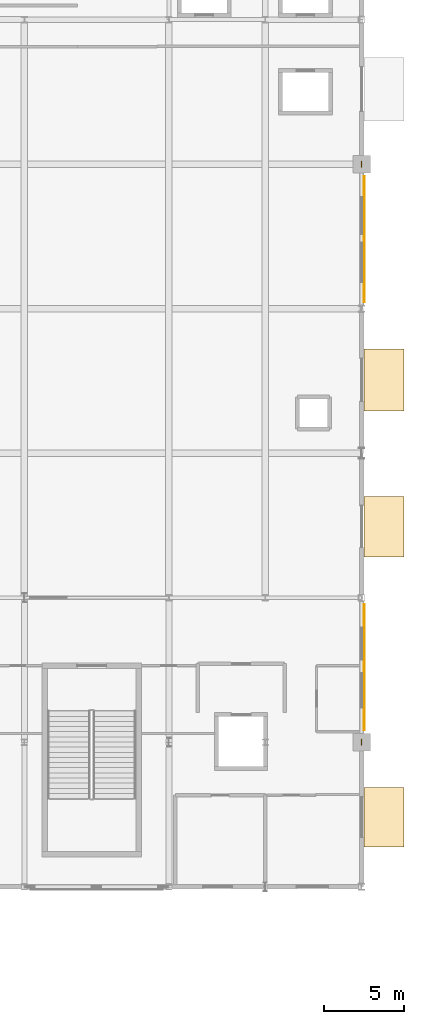
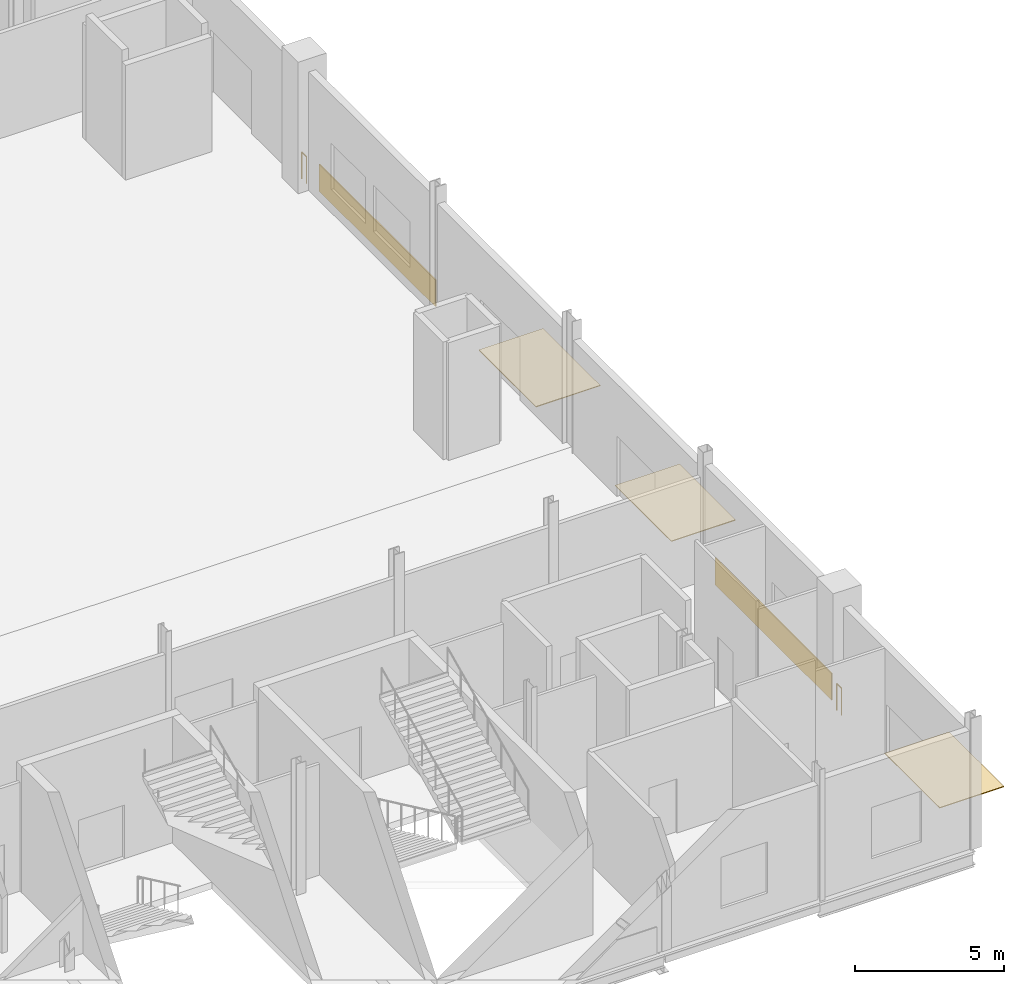
# One storey, part 87 of 94: 5 coverings, 2 railings.
"""IFC4 building model written with IfcOpenShell, lengths in metres."""

from ifc_helpers import new_model, si_unit, direction, frame, origin, origin_2d, place, context, subcontext, project, spatial, rectangle, circle, extrude, material, layer, layer_set, type_object, element, save


model = new_model("IFC4")

# Units and contexts
model_context = context("Model", 3, precision=1e-05, world=origin(), true_north=direction((0.0, 1.0)))
body_context = subcontext(model_context, "Body", "Model", "MODEL_VIEW")
ifc_project = project(units=[si_unit("LENGTHUNIT", "METRE"), si_unit("AREAUNIT", "SQUARE_METRE"), si_unit("VOLUMEUNIT", "CUBIC_METRE"), si_unit("PLANEANGLEUNIT", "RADIAN"), si_unit("MASSUNIT", "GRAM", prefix="KILO")], contexts=[model_context])

# Site, building, storey
site_placement = place(None, origin())
site = spatial("IfcSite", under=ifc_project, at=site_placement, CompositionType="ELEMENT")
building_placement = place(site_placement, origin())
building = spatial("IfcBuilding", under=site, at=building_placement, Name="Qamarlyn Nura Convention Centre", CompositionType="ELEMENT")
storey_placement = place(building_placement, origin())
storey = spatial("IfcBuildingStorey", under=building, at=storey_placement, Name="L00", CompositionType="ELEMENT", Elevation=0.0)

# Coverings
ifc_material_1 = material(Name="Polished coastal aggregate terrazzo")
ifc_layer_1 = layer(ifc_material_1, 0.030029296875, Name="COV-FLOOR-TERR")
ifc_layer_set_1 = layer_set([ifc_layer_1], Name="Polished coastal aggregate terrazzo")
covering_type_1 = type_object("IfcCoveringType", Name="COV-FLOOR-TERR", PredefinedType="FLOORING", material=ifc_layer_set_1)
covering_1_placement = place(storey_placement, frame((193.389892578125, 4.331298828125, -0.02978515625), z_axis=(0.0, 0.0, 1.0), x_axis=(0.0, -1.0, 0.0)))
element("IfcCovering", 1, at=covering_1_placement, inside=storey, type_object=covering_type_1, Name="Exterior exit threshold apron E-35", PredefinedType="FLOORING", context=body_context, shape_type="SweptSolid", body=[
    extrude(rectangle(XDim=3.699951171875, YDim=2.5, at=origin_2d()), origin(), (0.0, 0.0, 1.0), 0.030029296875),
])
covering_2_placement = place(storey_placement, frame((193.389892578125, 22.42626953125, -0.02978515625), z_axis=(0.0, 0.0, 1.0), x_axis=(0.0, -1.0, 0.0)))
element("IfcCovering", 2, at=covering_2_placement, inside=storey, type_object=covering_type_1, Name="Exterior exit threshold apron E-36", PredefinedType="FLOORING", context=body_context, shape_type="SweptSolid", body=[
    extrude(rectangle(XDim=3.780029296875, YDim=2.5, at=origin_2d()), origin(), (0.0, 0.0, 1.0), 0.030029296875),
])
covering_3_placement = place(storey_placement, frame((193.389892578125, 31.5673828125, -0.02978515625), z_axis=(0.0, 0.0, 1.0), x_axis=(0.0, -1.0, 0.0)))
element("IfcCovering", 3, at=covering_3_placement, inside=storey, type_object=covering_type_1, Name="Exterior exit threshold apron E-37", PredefinedType="FLOORING", context=body_context, shape_type="SweptSolid", body=[
    extrude(rectangle(XDim=3.85009765625, YDim=2.5, at=origin_2d()), origin(), (0.0, 0.0, 1.0), 0.030029296875),
])
ifc_material_2 = material(Name="UAE coastal limestone stone cladding", Category="masonry")
ifc_layer_2 = layer(ifc_material_2, 0.044921875, Name="COV-PLINTH-LIME")
ifc_layer_set_2 = layer_set([ifc_layer_2], Name="UAE coastal limestone stone cladding")
covering_type_2 = type_object("IfcCoveringType", Name="COV-PLINTH-LIME", PredefinedType="CLADDING", material=ifc_layer_set_2)
covering_4_placement = place(storey_placement, frame((192.158447265625, 13.675048828125, 0.0), z_axis=(0.0, 0.0, 1.0), x_axis=(0.0, -1.0, 0.0)))
element("IfcCovering", 4, at=covering_4_placement, inside=storey, type_object=covering_type_2, Name="L00 UAE coastal limestone stone plinth cladding WEXT-L00-1920-178-1920-96", PredefinedType="CLADDING", context=body_context, shape_type="SweptSolid", body=[
    extrude(rectangle(XDim=7.85009765625, YDim=0.044921875, at=origin_2d()), origin(), (0.0, 0.0, 1.0), 1.10009765625),
])
covering_5_placement = place(storey_placement, frame((192.158447265625, 40.331298828125, 0.0), z_axis=(0.0, 0.0, 1.0), x_axis=(0.0, -1.0, 0.0)))
element("IfcCovering", 5, at=covering_5_placement, inside=storey, type_object=covering_type_2, Name="L00 UAE coastal limestone stone plinth cladding WEXT-L00-1920-444-1920-362", PredefinedType="CLADDING", context=body_context, shape_type="SweptSolid", body=[
    extrude(rectangle(XDim=7.83740234375, YDim=0.044921875, at=origin_2d()), origin(), (0.0, 0.0, 1.0), 1.10009765625),
])

# Railings
ifc_material_3 = material(Name="Marine Grade 316 stainless steel", Category="steel")
railing_type = type_object("IfcRailingType", Name="GRD-VOID-112", PredefinedType="BALUSTRADE", material=ifc_material_3)
for number, where, name in (
    (6, (192.0, 45.159912109375, 0.0), "L00 slab edge balustrade guard 033"),
    (7, (192.0, 9.159912109375, 0.0), "L00 slab edge balustrade guard 034"),
):
    element("IfcRailing", number, at=place(storey_placement, frame(where)), inside=storey, type_object=railing_type, Name=name, PredefinedType="BALUSTRADE", context=body_context, shape_type="SweptSolid", body=[
        extrude(circle(Radius=0.02392578125, at=origin_2d()), frame((0.0, 0.0, 1.09619140625), z_axis=(0.0, -1.0, 0.0), x_axis=(1.0, 0.0, 0.0)), (0.0, 0.0, 1.0), 0.31982421875),
        extrude(circle(Radius=0.02099609375, at=origin_2d()), origin(), (0.0, 0.0, 1.0), 1.070068359375),
        extrude(circle(Radius=0.02099609375, at=origin_2d()), frame((0.0, -0.31982421875, 0.0)), (0.0, 0.0, 1.0), 1.070068359375),
    ])

save(model, "model.ifc")
